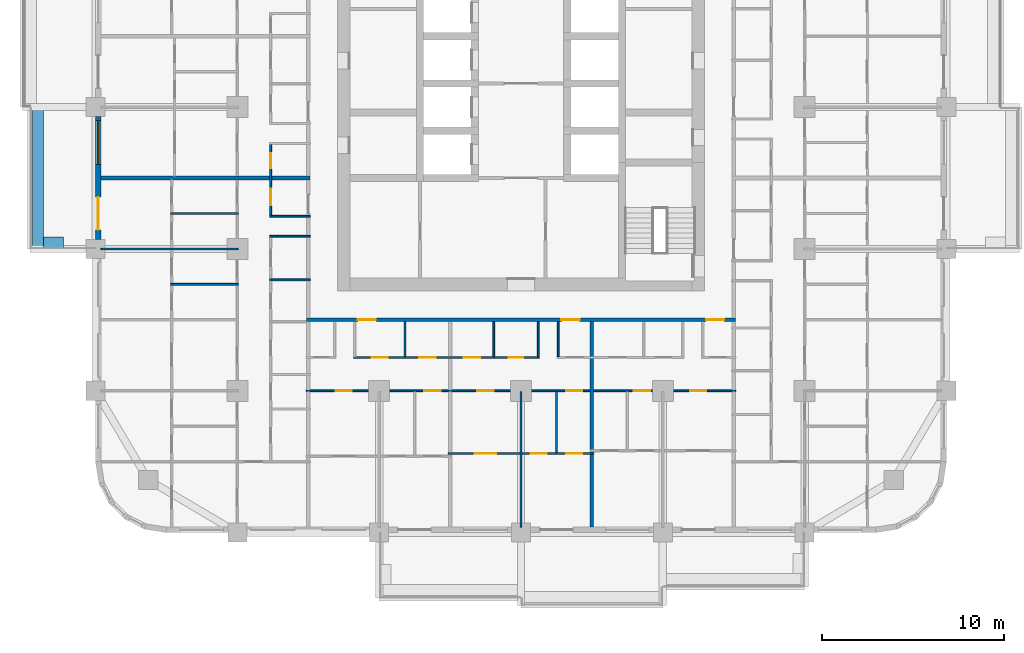
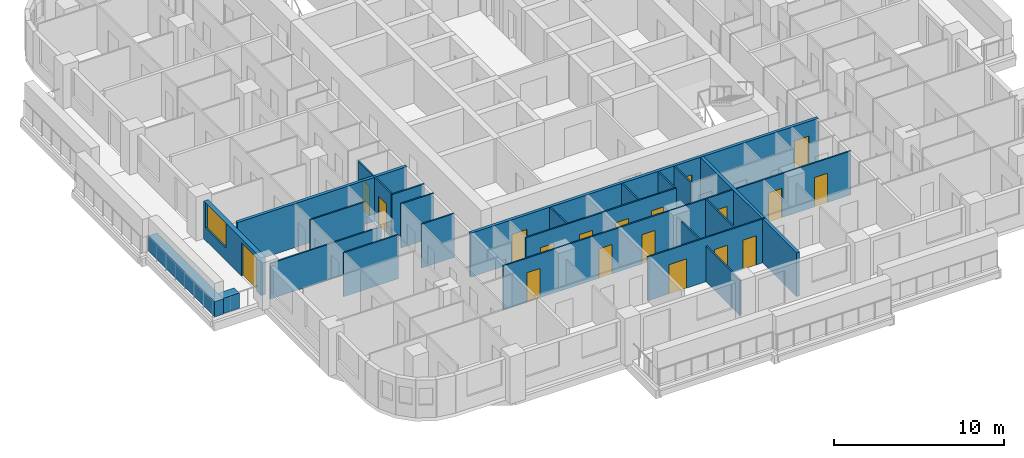
# One storey, part 4 of 17: 22 walls, 19 doors, 1 window, 20 openings.
"""IFC4 building model written with IfcOpenShell, lengths in metres."""

from ifc_helpers import new_model, si_unit, direction, frame, frame_2d, origin, place, context, subcontext, project, spatial, rectangle, extrude, material, layer, layer_set, type_object, element, fill, save


model = new_model("IFC4")

# Units and contexts
model_context = context("Model", 3, precision=1e-05, world=origin(), true_north=direction((0.0, 1.0)))
body_context = subcontext(model_context, "Body", "Model", "MODEL_VIEW")
ifc_project = project(units=[si_unit("LENGTHUNIT", "METRE"), si_unit("AREAUNIT", "SQUARE_METRE"), si_unit("VOLUMEUNIT", "CUBIC_METRE"), si_unit("PLANEANGLEUNIT", "RADIAN"), si_unit("MASSUNIT", "GRAM", prefix="KILO")], contexts=[model_context])

# Site, building, storey
site_placement = place(None, origin())
site = spatial("IfcSite", under=ifc_project, at=site_placement, CompositionType="ELEMENT")
building_placement = place(site_placement, origin())
building = spatial("IfcBuilding", under=site, at=building_placement, Name="Ludao Terraces", CompositionType="ELEMENT")
storey_placement = place(building_placement, frame((0.0, 0.0, 39.89990234375)))
storey = spatial("IfcBuildingStorey", under=building, at=storey_placement, Name="L10", CompositionType="ELEMENT", Elevation=39.89990234375)

# Walls
ifc_material_1 = material(Name="Concrete C40", Category="concrete")
ifc_layer_1 = layer(ifc_material_1, 0.60009765625)
ifc_layer_set_1 = layer_set([ifc_layer_1], Name="ENV Planter trough 600")
wall_type_1 = type_object("IfcWallType", Name="ENV Planter trough 600", PredefinedType="USERDEFINED", material=ifc_layer_set_1)
wall_1_placement = place(storey_placement, frame((58.449951171875, 57.199951171875, 0.0), z_axis=(0.0, 0.0, 1.0), x_axis=(0.0, 1.0, 0.0)))
element("IfcWall", 1, at=wall_1_placement, inside=storey, type_object=wall_type_1, Name="PL-L10-W2", ObjectType="PLANTER", PredefinedType="USERDEFINED", context=body_context, shape_type="SweptSolid", body=[
    extrude(rectangle(XDim=7.800048828125, YDim=0.60009765625, at=frame_2d((3.89990234375, 0.0))), origin(), (0.0, 0.0, 1.0), 1.10009765625),
])
wall_2_placement = place(storey_placement, frame((58.75, 57.550048828125, 0.0), z_axis=(0.0, 0.0, 1.0), x_axis=(1.0, 0.0, 0.0)))
element("IfcWall", 2, at=wall_2_placement, inside=storey, type_object=wall_type_1, Name="PL-L10-W2-SA", ObjectType="PLANTER", PredefinedType="USERDEFINED", context=body_context, shape_type="SweptSolid", body=[
    extrude(rectangle(XDim=1.10009765625, YDim=0.60009765625, at=frame_2d((0.550048828125, 0.0))), origin(), (0.0, 0.0, 1.0), 1.10009765625),
])

# Wall, openings, door, window
ifc_material_2 = material(Name="Granite cladding", Category="masonry")
ifc_layer_2 = layer(ifc_material_2, 0.0400390625, Category="stone")
ifc_material_3 = material(Name="Mineral wool")
ifc_layer_3 = layer(ifc_material_3, 0.06005859375)
ifc_layer_4 = layer(ifc_material_1, 0.199951171875, Category="concrete")
ifc_layer_set_2 = layer_set([ifc_layer_2, ifc_layer_3, ifc_layer_4], Name="ENV Stone-clad wall 300")
wall_type_2 = type_object("IfcWallType", Name="ENV Stone-clad wall 300", PredefinedType="SOLIDWALL", material=ifc_layer_set_2)
wall_3_placement = place(storey_placement, frame((61.75, 57.72509765625, 0.0), z_axis=(0.0, 0.0, 1.0), x_axis=(0.0, 1.0, 0.0)))
wall_3 = element("IfcWall", 3, at=wall_3_placement, inside=storey, type_object=wall_type_2, Name="EW-L10-W3", PredefinedType="SOLIDWALL", context=body_context, shape_type="SweptSolid", body=[
    extrude(rectangle(XDim=6.75, YDim=0.300048828125, at=frame_2d((3.375, 0.0))), origin(), (0.0, 0.0, 1.0), 2.7001953125),
])
opening_1_placement = place(wall_3_placement, frame((0.52490234375, 0.0, 0.0)))
opening_1 = element("IfcOpeningElement", 4, at=opening_1_placement, cuts=wall_3, Name="Opening BD", PredefinedType="OPENING", context=body_context, shape_type="SweptSolid", body=[
    extrude(rectangle(XDim=1.800048828125, YDim=2.39990234375, at=frame_2d((0.89990234375, 1.199951171875))), frame((0.0, 0.16015625, 0.0), z_axis=(0.0, -1.0, 0.0), x_axis=(1.0, 0.0, 0.0)), (0.0, 0.0, 1.0), 0.320068359375),
])
opening_2_placement = place(wall_3_placement, frame((4.125, 0.0, 0.89990234375)))
opening_2 = element("IfcOpeningElement", 5, at=opening_2_placement, cuts=wall_3, Name="Opening W1", PredefinedType="OPENING", context=body_context, shape_type="SweptSolid", body=[
    extrude(rectangle(XDim=2.39990234375, YDim=1.800048828125, at=frame_2d((1.199951171875, 0.89990234375))), frame((0.0, 0.16015625, 0.0), z_axis=(0.0, -1.0, 0.0), x_axis=(1.0, 0.0, 0.0)), (0.0, 0.0, 1.0), 0.320068359375),
])
ifc_material_4 = material(Name="Aluminium glazed door", Category="aluminium")
ifc_layer_5 = layer(ifc_material_4, 0.06005859375)
ifc_layer_set_3 = layer_set([ifc_layer_5], Name="ENV Balcony door BD 1800x2400")
door_type_1 = type_object("IfcDoorType", Name="ENV Balcony door BD 1800x2400", OperationType="DOUBLE_DOOR_SINGLE_SWING", PredefinedType="DOOR", material=ifc_layer_set_3)
door_1_placement = place(opening_1_placement, origin())
door_1 = element("IfcDoor", 6, at=door_1_placement, inside=storey, type_object=door_type_1, Name="BD-L10-W3-1", OperationType="DOUBLE_DOOR_SINGLE_SWING", OverallHeight=2.39990234375, OverallWidth=1.800048828125, PredefinedType="DOOR", context=body_context, shape_type="SweptSolid", body=[
    extrude(rectangle(XDim=1.800048828125, YDim=2.39990234375, at=frame_2d((0.89990234375, 1.199951171875))), frame((0.0, 0.02490234375, 0.0), z_axis=(0.0, -1.0, 0.0), x_axis=(1.0, 0.0, 0.0)), (0.0, 0.0, 1.0), 0.050048828125),
])
fill(opening_1, door_1)
ifc_material_5 = material(Name="Clear glass in aluminium frame", Category="aluminium")
ifc_layer_6 = layer(ifc_material_5, 0.06005859375)
ifc_layer_set_4 = layer_set([ifc_layer_6], Name="ENV Window W1 2400x1800")
window_type = type_object("IfcWindowType", Name="ENV Window W1 2400x1800", PartitioningType="DOUBLE_PANEL_VERTICAL", PredefinedType="WINDOW", material=ifc_layer_set_4)
window_placement = place(opening_2_placement, origin())
window = element("IfcWindow", 7, at=window_placement, inside=storey, type_object=window_type, Name="W-L10-W3-2", OverallHeight=1.800048828125, OverallWidth=2.39990234375, PartitioningType="DOUBLE_PANEL_VERTICAL", PredefinedType="WINDOW", context=body_context, shape_type="SweptSolid", body=[
    extrude(rectangle(XDim=2.39990234375, YDim=1.800048828125, at=frame_2d((1.199951171875, 0.89990234375))), frame((0.0, 0.030029296875, 0.0), z_axis=(0.0, -1.0, 0.0), x_axis=(1.0, 0.0, 0.0)), (0.0, 0.0, 1.0), 0.06005859375),
])
fill(opening_2, window)

# Wall, openings, doors
ifc_material_6 = material(Name="Autoclaved aerated concrete block B06 A3.5", Category="concrete")
ifc_layer_7 = layer(ifc_material_6, 0.199951171875)
ifc_layer_set_5 = layer_set([ifc_layer_7], Name="INT Entrance wall 200")
wall_type_3 = type_object("IfcWallType", Name="INT Entrance wall 200", PredefinedType="PARTITIONING", material=ifc_layer_set_5)
wall_4_placement = place(storey_placement, frame((73.2001953125, 53.300048828125, 0.0), z_axis=(0.0, 0.0, 1.0), x_axis=(1.0, 0.0, 0.0)))
wall_4 = element("IfcWall", 8, at=wall_4_placement, inside=storey, type_object=wall_type_3, Name="PW-L10-PW021", PredefinedType="PARTITIONING", context=body_context, shape_type="SweptSolid", body=[
    extrude(rectangle(XDim=23.599853515625, YDim=0.199951171875, at=frame_2d((11.7998046875, 0.0))), origin(), (0.0, 0.0, 1.0), 3.150146484375),
])
opening_3_placement = place(wall_4_placement, frame((2.824951171875, 0.0, 0.0)))
opening_3 = element("IfcOpeningElement", 9, at=opening_3_placement, cuts=wall_4, Name="Opening R03-047", PredefinedType="OPENING", context=body_context, shape_type="SweptSolid", body=[
    extrude(rectangle(XDim=1.0, YDim=2.10009765625, at=frame_2d((0.5, 1.050048828125))), frame((0.0, 0.10986328125, 0.0), z_axis=(0.0, -1.0, 0.0), x_axis=(1.0, 0.0, 0.0)), (0.0, 0.0, 1.0), 0.219970703125),
])
opening_4_placement = place(wall_4_placement, frame((14.02490234375, 0.0, 0.0)))
opening_4 = element("IfcOpeningElement", 10, at=opening_4_placement, cuts=wall_4, Name="Opening R03-048", PredefinedType="OPENING", context=body_context, shape_type="SweptSolid", body=[
    extrude(rectangle(XDim=1.0, YDim=2.10009765625, at=frame_2d((0.5, 1.050048828125))), frame((0.0, 0.10986328125, 0.0), z_axis=(0.0, -1.0, 0.0), x_axis=(1.0, 0.0, 0.0)), (0.0, 0.0, 1.0), 0.219970703125),
])
opening_5_placement = place(wall_4_placement, frame((21.974853515625, 0.0, 0.0)))
opening_5 = element("IfcOpeningElement", 11, at=opening_5_placement, cuts=wall_4, Name="Opening R03-049", PredefinedType="OPENING", context=body_context, shape_type="SweptSolid", body=[
    extrude(rectangle(XDim=1.0, YDim=2.10009765625, at=frame_2d((0.5, 1.050048828125))), frame((0.0, 0.10986328125, 0.0), z_axis=(0.0, -1.0, 0.0), x_axis=(1.0, 0.0, 0.0)), (0.0, 0.0, 1.0), 0.219970703125),
])
ifc_material_7 = material(Name="Steel Q235", Category="steel")
door_type_2 = type_object("IfcDoorType", Name="INT Flat entrance door 1000", OperationType="SINGLE_SWING_LEFT", PredefinedType="DOOR", material=ifc_material_7)
door_2_placement = place(opening_3_placement, origin())
door_2 = element("IfcDoor", 12, at=door_2_placement, inside=storey, type_object=door_type_2, Name="DOOR 047", OperationType="SINGLE_SWING_LEFT", OverallHeight=2.10009765625, OverallWidth=1.0, PredefinedType="DOOR", context=body_context, shape_type="SweptSolid", body=[
    extrude(rectangle(XDim=1.0, YDim=2.10009765625, at=frame_2d((0.5, 1.050048828125))), frame((0.0, 0.02490234375, 0.0), z_axis=(0.0, -1.0, 0.0), x_axis=(1.0, 0.0, 0.0)), (0.0, 0.0, 1.0), 0.050048828125),
])
fill(opening_3, door_2)
door_3_placement = place(opening_4_placement, origin())
door_3 = element("IfcDoor", 13, at=door_3_placement, inside=storey, type_object=door_type_2, Name="DOOR 048", OperationType="SINGLE_SWING_LEFT", OverallHeight=2.10009765625, OverallWidth=1.0, PredefinedType="DOOR", context=body_context, shape_type="SweptSolid", body=[
    extrude(rectangle(XDim=1.0, YDim=2.10009765625, at=frame_2d((0.5, 1.050048828125))), frame((0.0, 0.02490234375, 0.0), z_axis=(0.0, -1.0, 0.0), x_axis=(1.0, 0.0, 0.0)), (0.0, 0.0, 1.0), 0.050048828125),
])
fill(opening_4, door_3)
door_4_placement = place(opening_5_placement, origin())
door_4 = element("IfcDoor", 14, at=door_4_placement, inside=storey, type_object=door_type_2, Name="DOOR 049", OperationType="SINGLE_SWING_LEFT", OverallHeight=2.10009765625, OverallWidth=1.0, PredefinedType="DOOR", context=body_context, shape_type="SweptSolid", body=[
    extrude(rectangle(XDim=1.0, YDim=2.10009765625, at=frame_2d((0.5, 1.050048828125))), frame((0.0, 0.02490234375, 0.0), z_axis=(0.0, -1.0, 0.0), x_axis=(1.0, 0.0, 0.0)), (0.0, 0.0, 1.0), 0.050048828125),
])
fill(opening_5, door_4)

ifc_material_8 = material(Name="Gypsum plasterboard", Category="gypsum")
ifc_layer_8 = layer(ifc_material_8, 0.012451171875, Category="gypsum")
ifc_layer_9 = layer(ifc_material_3, 0.06005859375, Name="insulation")
ifc_layer_10 = layer(ifc_material_7, 0.014892578125, Name="stud")
ifc_layer_11 = layer(ifc_material_8, 0.012451171875, Category="gypsum")
ifc_layer_set_6 = layer_set([ifc_layer_8, ifc_layer_9, ifc_layer_10, ifc_layer_11], Name="INT Partition 100")
wall_type_4 = type_object("IfcWallType", Name="INT Partition 100", PredefinedType="PARTITIONING", material=ifc_layer_set_6)
wall_5_placement = place(storey_placement, frame((81.0, 45.949951171875, 0.0), z_axis=(0.0, 0.0, 1.0), x_axis=(1.0, 0.0, 0.0)))
wall_5 = element("IfcWall", 15, at=wall_5_placement, inside=storey, type_object=wall_type_4, Name="PW-L10-PW003", PredefinedType="PARTITIONING", context=body_context, shape_type="SweptSolid", body=[
    extrude(rectangle(XDim=8.0, YDim=0.10009765625, at=frame_2d((4.0, 0.0))), origin(), (0.0, 0.0, 1.0), 3.150146484375),
])
opening_6_placement = place(wall_5_placement, frame((1.4501953125, 0.0, 0.0)))
opening_6 = element("IfcOpeningElement", 16, at=opening_6_placement, cuts=wall_5, Name="Opening R03-010", PredefinedType="OPENING", context=body_context, shape_type="SweptSolid", body=[
    extrude(rectangle(XDim=1.199951171875, YDim=2.10009765625, at=frame_2d((0.60009765625, 1.050048828125))), frame((0.0, 0.06005859375, 0.0), z_axis=(0.0, -1.0, 0.0), x_axis=(1.0, 0.0, 0.0)), (0.0, 0.0, 1.0), 0.1201171875),
])
opening_7_placement = place(wall_5_placement, frame((4.525146484375, 0.0, 0.0)))
opening_7 = element("IfcOpeningElement", 17, at=opening_7_placement, cuts=wall_5, Name="Opening R03-011", PredefinedType="OPENING", context=body_context, shape_type="SweptSolid", body=[
    extrude(rectangle(XDim=0.89990234375, YDim=2.10009765625, at=frame_2d((0.449951171875, 1.050048828125))), frame((0.0, 0.06005859375, 0.0), z_axis=(0.0, -1.0, 0.0), x_axis=(1.0, 0.0, 0.0)), (0.0, 0.0, 1.0), 0.1201171875),
])
opening_8_placement = place(wall_5_placement, frame((6.47509765625, 0.0, 0.0)))
opening_8 = element("IfcOpeningElement", 18, at=opening_8_placement, cuts=wall_5, Name="Opening R03-012", PredefinedType="OPENING", context=body_context, shape_type="SweptSolid", body=[
    extrude(rectangle(XDim=0.89990234375, YDim=2.10009765625, at=frame_2d((0.449951171875, 1.050048828125))), frame((0.0, 0.06005859375, 0.0), z_axis=(0.0, -1.0, 0.0), x_axis=(1.0, 0.0, 0.0)), (0.0, 0.0, 1.0), 0.1201171875),
])
ifc_material_9 = material(Name="Timber door leaf", Category="wood")
door_type_3 = type_object("IfcDoorType", Name="INT Bathroom door 900", OperationType="SINGLE_SWING_LEFT", PredefinedType="DOOR", material=ifc_material_9)
door_5_placement = place(opening_7_placement, origin())
door_5 = element("IfcDoor", 19, at=door_5_placement, inside=storey, type_object=door_type_3, Name="DOOR 011", OperationType="SINGLE_SWING_RIGHT", OverallHeight=2.10009765625, OverallWidth=0.89990234375, PredefinedType="DOOR", context=body_context, shape_type="SweptSolid", body=[
    extrude(rectangle(XDim=0.89990234375, YDim=2.10009765625, at=frame_2d((0.449951171875, 1.050048828125))), frame((0.0, 0.02490234375, 0.0), z_axis=(0.0, -1.0, 0.0), x_axis=(1.0, 0.0, 0.0)), (0.0, 0.0, 1.0), 0.050048828125),
])
fill(opening_7, door_5)
door_type_4 = type_object("IfcDoorType", Name="INT Double door 1200", OperationType="DOUBLE_DOOR_SINGLE_SWING", PredefinedType="DOOR", material=ifc_material_9)
door_6_placement = place(opening_6_placement, origin())
door_6 = element("IfcDoor", 20, at=door_6_placement, inside=storey, type_object=door_type_4, Name="DOOR 010", OperationType="DOUBLE_DOOR_SINGLE_SWING", OverallHeight=2.10009765625, OverallWidth=1.199951171875, PredefinedType="DOOR", context=body_context, shape_type="SweptSolid", body=[
    extrude(rectangle(XDim=1.199951171875, YDim=2.10009765625, at=frame_2d((0.60009765625, 1.050048828125))), frame((0.0, 0.02490234375, 0.0), z_axis=(0.0, -1.0, 0.0), x_axis=(1.0, 0.0, 0.0)), (0.0, 0.0, 1.0), 0.050048828125),
])
fill(opening_6, door_6)
door_type_5 = type_object("IfcDoorType", Name="INT Room door 900", OperationType="SINGLE_SWING_LEFT", PredefinedType="DOOR", material=ifc_material_9)
door_7_placement = place(opening_8_placement, origin())
door_7 = element("IfcDoor", 21, at=door_7_placement, inside=storey, type_object=door_type_5, Name="DOOR 012", OperationType="SINGLE_SWING_RIGHT", OverallHeight=2.10009765625, OverallWidth=0.89990234375, PredefinedType="DOOR", context=body_context, shape_type="SweptSolid", body=[
    extrude(rectangle(XDim=0.89990234375, YDim=2.10009765625, at=frame_2d((0.449951171875, 1.050048828125))), frame((0.0, 0.02490234375, 0.0), z_axis=(0.0, -1.0, 0.0), x_axis=(1.0, 0.0, 0.0)), (0.0, 0.0, 1.0), 0.050048828125),
])
fill(opening_8, door_7)

wall_6_placement = place(storey_placement, frame((73.2001953125, 49.39990234375, 0.0), z_axis=(0.0, 0.0, 1.0), x_axis=(1.0, 0.0, 0.0)))
wall_6 = element("IfcWall", 22, at=wall_6_placement, inside=storey, type_object=wall_type_4, Name="PW-L10-PW010", PredefinedType="PARTITIONING", context=body_context, shape_type="SweptSolid", body=[
    extrude(rectangle(XDim=23.599853515625, YDim=0.10009765625, at=frame_2d((11.7998046875, 0.0))), origin(), (0.0, 0.0, 1.0), 3.150146484375),
])
opening_9_placement = place(wall_6_placement, frame((1.599853515625, 0.0, 0.0)))
opening_9 = element("IfcOpeningElement", 23, at=opening_9_placement, cuts=wall_6, Name="Opening R03-026", PredefinedType="OPENING", context=body_context, shape_type="SweptSolid", body=[
    extrude(rectangle(XDim=0.89990234375, YDim=2.10009765625, at=frame_2d((0.449951171875, 1.050048828125))), frame((0.0, 0.06005859375, 0.0), z_axis=(0.0, -1.0, 0.0), x_axis=(1.0, 0.0, 0.0)), (0.0, 0.0, 1.0), 0.1201171875),
])
opening_10_placement = place(wall_6_placement, frame((6.474853515625, 0.0, 0.0)))
opening_10 = element("IfcOpeningElement", 24, at=opening_10_placement, cuts=wall_6, Name="Opening R03-027", PredefinedType="OPENING", context=body_context, shape_type="SweptSolid", body=[
    extrude(rectangle(XDim=0.89990234375, YDim=2.10009765625, at=frame_2d((0.449951171875, 1.050048828125))), frame((0.0, 0.06005859375, 0.0), z_axis=(0.0, -1.0, 0.0), x_axis=(1.0, 0.0, 0.0)), (0.0, 0.0, 1.0), 0.1201171875),
])
opening_11_placement = place(wall_6_placement, frame((9.39990234375, 0.0, 0.0)))
opening_11 = element("IfcOpeningElement", 25, at=opening_11_placement, cuts=wall_6, Name="Opening R03-028", PredefinedType="OPENING", context=body_context, shape_type="SweptSolid", body=[
    extrude(rectangle(XDim=0.89990234375, YDim=2.10009765625, at=frame_2d((0.449951171875, 1.050048828125))), frame((0.0, 0.06005859375, 0.0), z_axis=(0.0, -1.0, 0.0), x_axis=(1.0, 0.0, 0.0)), (0.0, 0.0, 1.0), 0.1201171875),
])
opening_12_placement = place(wall_6_placement, frame((14.27490234375, 0.0, 0.0)))
opening_12 = element("IfcOpeningElement", 26, at=opening_12_placement, cuts=wall_6, Name="Opening R03-029", PredefinedType="OPENING", context=body_context, shape_type="SweptSolid", body=[
    extrude(rectangle(XDim=0.89990234375, YDim=2.10009765625, at=frame_2d((0.449951171875, 1.050048828125))), frame((0.0, 0.06005859375, 0.0), z_axis=(0.0, -1.0, 0.0), x_axis=(1.0, 0.0, 0.0)), (0.0, 0.0, 1.0), 0.1201171875),
])
opening_13_placement = place(wall_6_placement, frame((18.0, 0.0, 0.0)))
opening_13 = element("IfcOpeningElement", 27, at=opening_13_placement, cuts=wall_6, Name="Opening R03-030", PredefinedType="OPENING", context=body_context, shape_type="SweptSolid", body=[
    extrude(rectangle(XDim=0.89990234375, YDim=2.10009765625, at=frame_2d((0.449951171875, 1.050048828125))), frame((0.0, 0.06005859375, 0.0), z_axis=(0.0, -1.0, 0.0), x_axis=(1.0, 0.0, 0.0)), (0.0, 0.0, 1.0), 0.1201171875),
])
opening_14_placement = place(wall_6_placement, frame((21.099853515625, 0.0, 0.0)))
opening_14 = element("IfcOpeningElement", 28, at=opening_14_placement, cuts=wall_6, Name="Opening R03-031", PredefinedType="OPENING", context=body_context, shape_type="SweptSolid", body=[
    extrude(rectangle(XDim=0.89990234375, YDim=2.10009765625, at=frame_2d((0.449951171875, 1.050048828125))), frame((0.0, 0.06005859375, 0.0), z_axis=(0.0, -1.0, 0.0), x_axis=(1.0, 0.0, 0.0)), (0.0, 0.0, 1.0), 0.1201171875),
])
door_8_placement = place(opening_9_placement, origin())
door_8 = element("IfcDoor", 29, at=door_8_placement, inside=storey, type_object=door_type_5, Name="DOOR 026", OperationType="SINGLE_SWING_RIGHT", OverallHeight=2.10009765625, OverallWidth=0.89990234375, PredefinedType="DOOR", context=body_context, shape_type="SweptSolid", body=[
    extrude(rectangle(XDim=0.89990234375, YDim=2.10009765625, at=frame_2d((0.449951171875, 1.050048828125))), frame((0.0, 0.02490234375, 0.0), z_axis=(0.0, -1.0, 0.0), x_axis=(1.0, 0.0, 0.0)), (0.0, 0.0, 1.0), 0.050048828125),
])
fill(opening_9, door_8)
door_9_placement = place(opening_10_placement, origin())
door_9 = element("IfcDoor", 30, at=door_9_placement, inside=storey, type_object=door_type_5, Name="DOOR 027", OperationType="SINGLE_SWING_LEFT", OverallHeight=2.10009765625, OverallWidth=0.89990234375, PredefinedType="DOOR", context=body_context, shape_type="SweptSolid", body=[
    extrude(rectangle(XDim=0.89990234375, YDim=2.10009765625, at=frame_2d((0.449951171875, 1.050048828125))), frame((0.0, 0.02490234375, 0.0), z_axis=(0.0, -1.0, 0.0), x_axis=(1.0, 0.0, 0.0)), (0.0, 0.0, 1.0), 0.050048828125),
])
fill(opening_10, door_9)
door_10_placement = place(opening_11_placement, origin())
door_10 = element("IfcDoor", 31, at=door_10_placement, inside=storey, type_object=door_type_5, Name="DOOR 028", OperationType="SINGLE_SWING_LEFT", OverallHeight=2.10009765625, OverallWidth=0.89990234375, PredefinedType="DOOR", context=body_context, shape_type="SweptSolid", body=[
    extrude(rectangle(XDim=0.89990234375, YDim=2.10009765625, at=frame_2d((0.449951171875, 1.050048828125))), frame((0.0, 0.02490234375, 0.0), z_axis=(0.0, -1.0, 0.0), x_axis=(1.0, 0.0, 0.0)), (0.0, 0.0, 1.0), 0.050048828125),
])
fill(opening_11, door_10)
door_11_placement = place(opening_12_placement, origin())
door_11 = element("IfcDoor", 32, at=door_11_placement, inside=storey, type_object=door_type_5, Name="DOOR 029", OperationType="SINGLE_SWING_LEFT", OverallHeight=2.10009765625, OverallWidth=0.89990234375, PredefinedType="DOOR", context=body_context, shape_type="SweptSolid", body=[
    extrude(rectangle(XDim=0.89990234375, YDim=2.10009765625, at=frame_2d((0.449951171875, 1.050048828125))), frame((0.0, 0.02490234375, 0.0), z_axis=(0.0, -1.0, 0.0), x_axis=(1.0, 0.0, 0.0)), (0.0, 0.0, 1.0), 0.050048828125),
])
fill(opening_12, door_11)
door_12_placement = place(opening_13_placement, origin())
door_12 = element("IfcDoor", 33, at=door_12_placement, inside=storey, type_object=door_type_5, Name="DOOR 030", OperationType="SINGLE_SWING_RIGHT", OverallHeight=2.10009765625, OverallWidth=0.89990234375, PredefinedType="DOOR", context=body_context, shape_type="SweptSolid", body=[
    extrude(rectangle(XDim=0.89990234375, YDim=2.10009765625, at=frame_2d((0.449951171875, 1.050048828125))), frame((0.0, 0.02490234375, 0.0), z_axis=(0.0, -1.0, 0.0), x_axis=(1.0, 0.0, 0.0)), (0.0, 0.0, 1.0), 0.050048828125),
])
fill(opening_13, door_12)
door_13_placement = place(opening_14_placement, origin())
door_13 = element("IfcDoor", 34, at=door_13_placement, inside=storey, type_object=door_type_5, Name="DOOR 031", OperationType="SINGLE_SWING_LEFT", OverallHeight=2.10009765625, OverallWidth=0.89990234375, PredefinedType="DOOR", context=body_context, shape_type="SweptSolid", body=[
    extrude(rectangle(XDim=0.89990234375, YDim=2.10009765625, at=frame_2d((0.449951171875, 1.050048828125))), frame((0.0, 0.02490234375, 0.0), z_axis=(0.0, -1.0, 0.0), x_axis=(1.0, 0.0, 0.0)), (0.0, 0.0, 1.0), 0.050048828125),
])
fill(opening_14, door_13)

wall_7_placement = place(storey_placement, frame((75.800048828125, 51.22998046875, 0.0), z_axis=(0.0, 0.0, 1.0), x_axis=(1.0, 0.0, 0.0)))
wall_7 = element("IfcWall", 35, at=wall_7_placement, inside=storey, type_object=wall_type_4, Name="PW-L10-PW015", PredefinedType="PARTITIONING", context=body_context, shape_type="SweptSolid", body=[
    extrude(rectangle(XDim=10.199951171875, YDim=0.10009765625, at=frame_2d((5.10009765625, 0.0))), origin(), (0.0, 0.0, 1.0), 3.150146484375),
])
opening_15_placement = place(wall_7_placement, frame((0.985107421875, 0.0, 0.0)))
opening_15 = element("IfcOpeningElement", 36, at=opening_15_placement, cuts=wall_7, Name="Opening R03-033", PredefinedType="OPENING", context=body_context, shape_type="SweptSolid", body=[
    extrude(rectangle(XDim=0.89990234375, YDim=2.10009765625, at=frame_2d((0.449951171875, 1.050048828125))), frame((0.0, 0.06005859375, 0.0), z_axis=(0.0, -1.0, 0.0), x_axis=(1.0, 0.0, 0.0)), (0.0, 0.0, 1.0), 0.1201171875),
])
opening_16_placement = place(wall_7_placement, frame((3.610107421875, 0.0, 0.0)))
opening_16 = element("IfcOpeningElement", 37, at=opening_16_placement, cuts=wall_7, Name="Opening R03-034", PredefinedType="OPENING", context=body_context, shape_type="SweptSolid", body=[
    extrude(rectangle(XDim=0.89990234375, YDim=2.10009765625, at=frame_2d((0.449951171875, 1.050048828125))), frame((0.0, 0.06005859375, 0.0), z_axis=(0.0, -1.0, 0.0), x_axis=(1.0, 0.0, 0.0)), (0.0, 0.0, 1.0), 0.1201171875),
])
opening_17_placement = place(wall_7_placement, frame((6.050048828125, 0.0, 0.0)))
opening_17 = element("IfcOpeningElement", 38, at=opening_17_placement, cuts=wall_7, Name="Opening R03-035", PredefinedType="OPENING", context=body_context, shape_type="SweptSolid", body=[
    extrude(rectangle(XDim=0.89990234375, YDim=2.10009765625, at=frame_2d((0.449951171875, 1.050048828125))), frame((0.0, 0.06005859375, 0.0), z_axis=(0.0, -1.0, 0.0), x_axis=(1.0, 0.0, 0.0)), (0.0, 0.0, 1.0), 0.1201171875),
])
opening_18_placement = place(wall_7_placement, frame((8.52490234375, 0.0, 0.0)))
opening_18 = element("IfcOpeningElement", 39, at=opening_18_placement, cuts=wall_7, Name="Opening R03-036", PredefinedType="OPENING", context=body_context, shape_type="SweptSolid", body=[
    extrude(rectangle(XDim=0.800048828125, YDim=2.10009765625, at=frame_2d((0.39990234375, 1.050048828125))), frame((0.0, 0.06005859375, 0.0), z_axis=(0.0, -1.0, 0.0), x_axis=(1.0, 0.0, 0.0)), (0.0, 0.0, 1.0), 0.1201171875),
])
door_14_placement = place(opening_16_placement, origin())
door_14 = element("IfcDoor", 40, at=door_14_placement, inside=storey, type_object=door_type_3, Name="DOOR 034", OperationType="SINGLE_SWING_RIGHT", OverallHeight=2.10009765625, OverallWidth=0.89990234375, PredefinedType="DOOR", context=body_context, shape_type="SweptSolid", body=[
    extrude(rectangle(XDim=0.89990234375, YDim=2.10009765625, at=frame_2d((0.449951171875, 1.050048828125))), frame((0.0, 0.02490234375, 0.0), z_axis=(0.0, -1.0, 0.0), x_axis=(1.0, 0.0, 0.0)), (0.0, 0.0, 1.0), 0.050048828125),
])
fill(opening_16, door_14)
door_15_placement = place(opening_17_placement, origin())
door_15 = element("IfcDoor", 41, at=door_15_placement, inside=storey, type_object=door_type_3, Name="DOOR 035", OperationType="SINGLE_SWING_LEFT", OverallHeight=2.10009765625, OverallWidth=0.89990234375, PredefinedType="DOOR", context=body_context, shape_type="SweptSolid", body=[
    extrude(rectangle(XDim=0.89990234375, YDim=2.10009765625, at=frame_2d((0.449951171875, 1.050048828125))), frame((0.0, 0.02490234375, 0.0), z_axis=(0.0, -1.0, 0.0), x_axis=(1.0, 0.0, 0.0)), (0.0, 0.0, 1.0), 0.050048828125),
])
fill(opening_17, door_15)
door_16_placement = place(opening_15_placement, origin())
door_16 = element("IfcDoor", 42, at=door_16_placement, inside=storey, type_object=door_type_5, Name="DOOR 033", OperationType="SINGLE_SWING_LEFT", OverallHeight=2.10009765625, OverallWidth=0.89990234375, PredefinedType="DOOR", context=body_context, shape_type="SweptSolid", body=[
    extrude(rectangle(XDim=0.89990234375, YDim=2.10009765625, at=frame_2d((0.449951171875, 1.050048828125))), frame((0.0, 0.02490234375, 0.0), z_axis=(0.0, -1.0, 0.0), x_axis=(1.0, 0.0, 0.0)), (0.0, 0.0, 1.0), 0.050048828125),
])
fill(opening_15, door_16)
door_type_6 = type_object("IfcDoorType", Name="INT Store door 800", OperationType="SINGLE_SWING_LEFT", PredefinedType="DOOR", material=ifc_material_9)
door_17_placement = place(opening_18_placement, origin())
door_17 = element("IfcDoor", 43, at=door_17_placement, inside=storey, type_object=door_type_6, Name="DOOR 036", OperationType="SINGLE_SWING_RIGHT", OverallHeight=2.10009765625, OverallWidth=0.800048828125, PredefinedType="DOOR", context=body_context, shape_type="SweptSolid", body=[
    extrude(rectangle(XDim=0.800048828125, YDim=2.10009765625, at=frame_2d((0.39990234375, 1.050048828125))), frame((0.0, 0.02490234375, 0.0), z_axis=(0.0, -1.0, 0.0), x_axis=(1.0, 0.0, 0.0)), (0.0, 0.0, 1.0), 0.050048828125),
])
fill(opening_18, door_17)

# Walls
wall_8_placement = place(storey_placement, frame((65.75, 55.25, 0.0), z_axis=(0.0, 0.0, 1.0), x_axis=(1.0, 0.0, 0.0)))
element("IfcWall", 44, at=wall_8_placement, inside=storey, type_object=wall_type_4, Name="PW-L10-PW023", PredefinedType="PARTITIONING", context=body_context, shape_type="SweptSolid", body=[
    extrude(rectangle(XDim=3.7001953125, YDim=0.10009765625, at=frame_2d((1.85009765625, 0.0))), origin(), (0.0, 0.0, 1.0), 3.150146484375),
])
wall_9_placement = place(storey_placement, frame((71.18017578125, 55.5, 0.0), z_axis=(0.0, 0.0, 1.0), x_axis=(1.0, 0.0, 0.0)))
element("IfcWall", 45, at=wall_9_placement, inside=storey, type_object=wall_type_4, Name="PW-L10-PW026", PredefinedType="PARTITIONING", context=body_context, shape_type="SweptSolid", body=[
    extrude(rectangle(XDim=2.219970703125, YDim=0.10009765625, at=frame_2d((1.10986328125, 0.0))), origin(), (0.0, 0.0, 1.0), 3.150146484375),
])
wall_10_placement = place(storey_placement, frame((61.900146484375, 57.199951171875, 0.0), z_axis=(0.0, 0.0, 1.0), x_axis=(1.0, 0.0, 0.0)))
element("IfcWall", 46, at=wall_10_placement, inside=storey, type_object=wall_type_4, Name="PW-L10-PW028", PredefinedType="PARTITIONING", context=body_context, shape_type="SweptSolid", body=[
    extrude(rectangle(XDim=7.550048828125, YDim=0.10009765625, at=frame_2d((3.77490234375, 0.0))), origin(), (0.0, 0.0, 1.0), 2.550048828125),
])
for number, where, z_axis, x_axis, name in (
    (47, (71.18017578125, 57.89990234375, 0.0), (0.0, 0.0, 1.0), (1.0, 0.0, 0.0), "PW-L10-PW030"),
    (48, (71.18017578125, 59.0, 0.0), (0.0, 0.0, 1.0), (1.0, 0.0, 0.0), "PW-L10-PW031"),
):
    element("IfcWall", number, at=place(storey_placement, frame(where, z_axis=z_axis, x_axis=x_axis)), inside=storey, type_object=wall_type_4, Name=name, PredefinedType="PARTITIONING", context=body_context, shape_type="SweptSolid", body=[
        extrude(rectangle(XDim=2.219970703125, YDim=0.10009765625, at=frame_2d((1.10986328125, 0.0))), origin(), (0.0, 0.0, 1.0), 3.150146484375),
    ])
wall_11_placement = place(storey_placement, frame((65.75, 59.14990234375, 0.0), z_axis=(0.0, 0.0, 1.0), x_axis=(1.0, 0.0, 0.0)))
element("IfcWall", 49, at=wall_11_placement, inside=storey, type_object=wall_type_4, Name="PW-L10-PW032", PredefinedType="PARTITIONING", context=body_context, shape_type="SweptSolid", body=[
    extrude(rectangle(XDim=3.7001953125, YDim=0.10009765625, at=frame_2d((1.85009765625, 0.0))), origin(), (0.0, 0.0, 1.0), 3.150146484375),
])

# Wall, openings, doors
wall_12_placement = place(storey_placement, frame((71.22998046875, 59.050048828125, 0.0), z_axis=(0.0, 0.0, 1.0), x_axis=(0.0, 1.0, 0.0)))
wall_12 = element("IfcWall", 50, at=wall_12_placement, inside=storey, type_object=wall_type_4, Name="PW-L10-PW085", PredefinedType="PARTITIONING", context=body_context, shape_type="SweptSolid", body=[
    extrude(rectangle(XDim=3.900146484375, YDim=0.10009765625, at=frame_2d((1.9501953125, 0.0))), origin(), (0.0, 0.0, 1.0), 3.150146484375),
])
opening_19_placement = place(wall_12_placement, frame((0.550048828125, 0.0, 0.0)))
opening_19 = element("IfcOpeningElement", 51, at=opening_19_placement, cuts=wall_12, Name="Opening R03-068", PredefinedType="OPENING", context=body_context, shape_type="SweptSolid", body=[
    extrude(rectangle(XDim=0.89990234375, YDim=2.10009765625, at=frame_2d((0.449951171875, 1.050048828125))), frame((0.0, 0.06005859375, 0.0), z_axis=(0.0, -1.0, 0.0), x_axis=(1.0, 0.0, 0.0)), (0.0, 0.0, 1.0), 0.1201171875),
])
opening_20_placement = place(wall_12_placement, frame((2.60009765625, 0.0, 0.0)))
opening_20 = element("IfcOpeningElement", 52, at=opening_20_placement, cuts=wall_12, Name="Opening R03-075", PredefinedType="OPENING", context=body_context, shape_type="SweptSolid", body=[
    extrude(rectangle(XDim=0.800048828125, YDim=2.10009765625, at=frame_2d((0.39990234375, 1.050048828125))), frame((0.0, 0.06005859375, 0.0), z_axis=(0.0, -1.0, 0.0), x_axis=(1.0, 0.0, 0.0)), (0.0, 0.0, 1.0), 0.1201171875),
])
door_18_placement = place(opening_19_placement, origin())
door_18 = element("IfcDoor", 53, at=door_18_placement, inside=storey, type_object=door_type_5, Name="DOOR 068", OperationType="SINGLE_SWING_LEFT", OverallHeight=2.10009765625, OverallWidth=0.89990234375, PredefinedType="DOOR", context=body_context, shape_type="SweptSolid", body=[
    extrude(rectangle(XDim=0.89990234375, YDim=2.10009765625, at=frame_2d((0.449951171875, 1.050048828125))), frame((0.0, 0.02490234375, 0.0), z_axis=(0.0, -1.0, 0.0), x_axis=(1.0, 0.0, 0.0)), (0.0, 0.0, 1.0), 0.050048828125),
])
fill(opening_19, door_18)
door_19_placement = place(opening_20_placement, origin())
door_19 = element("IfcDoor", 54, at=door_19_placement, inside=storey, type_object=door_type_6, Name="DOOR 075", OperationType="SINGLE_SWING_RIGHT", OverallHeight=2.10009765625, OverallWidth=0.800048828125, PredefinedType="DOOR", context=body_context, shape_type="SweptSolid", body=[
    extrude(rectangle(XDim=0.800048828125, YDim=2.10009765625, at=frame_2d((0.39990234375, 1.050048828125))), frame((0.0, 0.02490234375, 0.0), z_axis=(0.0, -1.0, 0.0), x_axis=(1.0, 0.0, 0.0)), (0.0, 0.0, 1.0), 0.050048828125),
])
fill(opening_20, door_19)

# Walls
for number, where, z_axis, x_axis, name in (
    (55, (78.6201171875, 51.280029296875, 0.0), (0.0, 0.0, 1.0), (0.0, 1.0, 0.0), "PW-L10-PW096"),
    (56, (83.5, 51.280029296875, 0.0), (0.0, 0.0, 1.0), (0.0, 1.0, 0.0), "PW-L10-PW101"),
):
    element("IfcWall", number, at=place(storey_placement, frame(where, z_axis=z_axis, x_axis=x_axis)), inside=storey, type_object=wall_type_4, Name=name, PredefinedType="PARTITIONING", context=body_context, shape_type="SweptSolid", body=[
        extrude(rectangle(XDim=1.920166015625, YDim=0.10009765625, at=frame_2d((0.9599609375, 0.0))), origin(), (0.0, 0.0, 1.0), 3.150146484375),
    ])
wall_13_placement = place(storey_placement, frame((85.0, 41.900146484375, 0.0), z_axis=(0.0, 0.0, 1.0), x_axis=(0.0, 1.0, 0.0)))
element("IfcWall", 57, at=wall_13_placement, inside=storey, type_object=wall_type_4, Name="PW-L10-PW102", PredefinedType="PARTITIONING", context=body_context, shape_type="SweptSolid", body=[
    extrude(rectangle(XDim=7.449951171875, YDim=0.10009765625, at=frame_2d((3.72509765625, 0.0))), origin(), (0.0, 0.0, 1.0), 2.550048828125),
])
wall_14_placement = place(storey_placement, frame((85.949951171875, 51.280029296875, 0.0), z_axis=(0.0, 0.0, 1.0), x_axis=(0.0, 1.0, 0.0)))
element("IfcWall", 58, at=wall_14_placement, inside=storey, type_object=wall_type_4, Name="PW-L10-PW104", PredefinedType="PARTITIONING", context=body_context, shape_type="SweptSolid", body=[
    extrude(rectangle(XDim=1.920166015625, YDim=0.10009765625, at=frame_2d((0.9599609375, 0.0))), origin(), (0.0, 0.0, 1.0), 3.150146484375),
])
wall_15_placement = place(storey_placement, frame((86.949951171875, 46.0, 0.0), z_axis=(0.0, 0.0, 1.0), x_axis=(0.0, 1.0, 0.0)))
element("IfcWall", 59, at=wall_15_placement, inside=storey, type_object=wall_type_4, Name="PW-L10-PW106", PredefinedType="PARTITIONING", context=body_context, shape_type="SweptSolid", body=[
    extrude(rectangle(XDim=3.35009765625, YDim=0.10009765625, at=frame_2d((1.675048828125, 0.0))), origin(), (0.0, 0.0, 1.0), 3.150146484375),
])
wall_16_placement = place(storey_placement, frame((87.050048828125, 51.280029296875, 0.0), z_axis=(0.0, 0.0, 1.0), x_axis=(0.0, 1.0, 0.0)))
element("IfcWall", 60, at=wall_16_placement, inside=storey, type_object=wall_type_4, Name="PW-L10-PW107", PredefinedType="PARTITIONING", context=body_context, shape_type="SweptSolid", body=[
    extrude(rectangle(XDim=1.920166015625, YDim=0.10009765625, at=frame_2d((0.9599609375, 0.0))), origin(), (0.0, 0.0, 1.0), 3.150146484375),
])
ifc_layer_12 = layer(ifc_material_6, 0.199951171875)
ifc_layer_set_7 = layer_set([ifc_layer_12], Name="INT Party wall 200")
wall_type_5 = type_object("IfcWallType", Name="INT Party wall 200", PredefinedType="PARTITIONING", material=ifc_layer_set_7)
wall_17_placement = place(storey_placement, frame((61.900146484375, 61.10009765625, 0.0), z_axis=(0.0, 0.0, 1.0), x_axis=(1.0, 0.0, 0.0)))
element("IfcWall", 61, at=wall_17_placement, inside=storey, type_object=wall_type_5, Name="PW-L10-PW035", PredefinedType="PARTITIONING", context=body_context, shape_type="SweptSolid", body=[
    extrude(rectangle(XDim=11.5, YDim=0.199951171875, at=frame_2d((5.75, 0.0))), origin(), (0.0, 0.0, 1.0), 3.150146484375),
])
wall_18_placement = place(storey_placement, frame((88.89990234375, 41.900146484375, 0.0), z_axis=(0.0, 0.0, 1.0), x_axis=(0.0, 1.0, 0.0)))
element("IfcWall", 62, at=wall_18_placement, inside=storey, type_object=wall_type_5, Name="PW-L10-PW108", PredefinedType="PARTITIONING", context=body_context, shape_type="SweptSolid", body=[
    extrude(rectangle(XDim=11.300048828125, YDim=0.199951171875, at=frame_2d((5.64990234375, 0.0))), origin(), (0.0, 0.0, 1.0), 3.150146484375),
])

save(model, "model.ifc")
